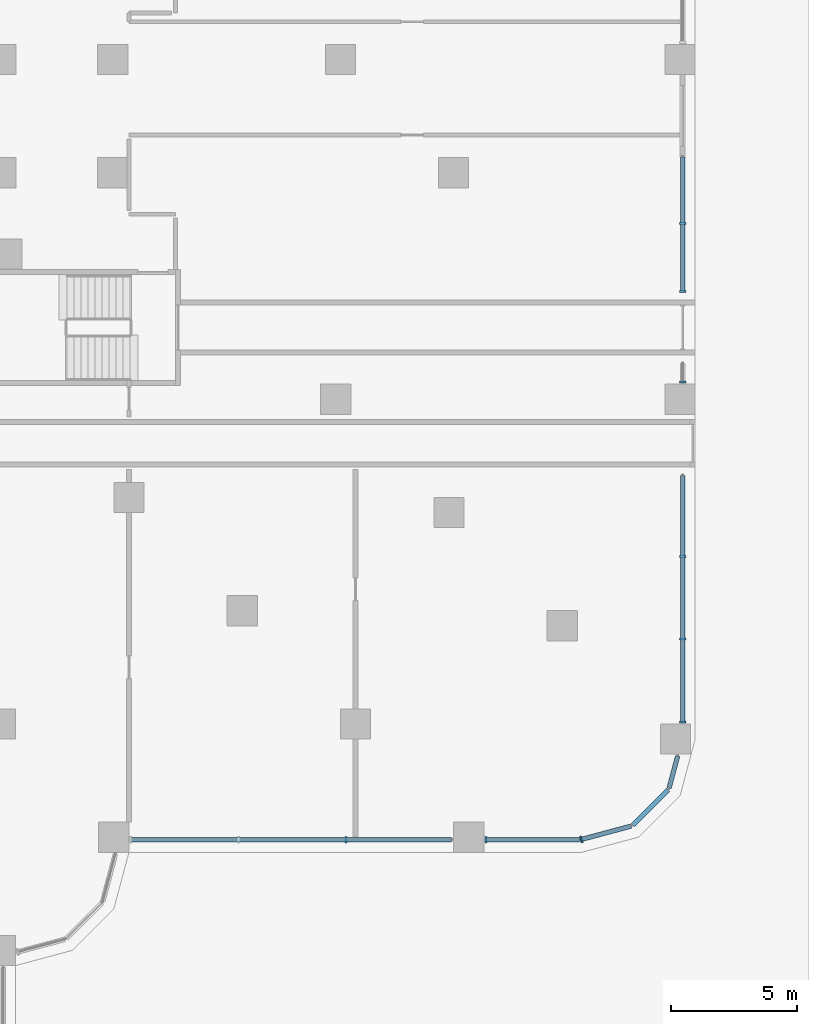
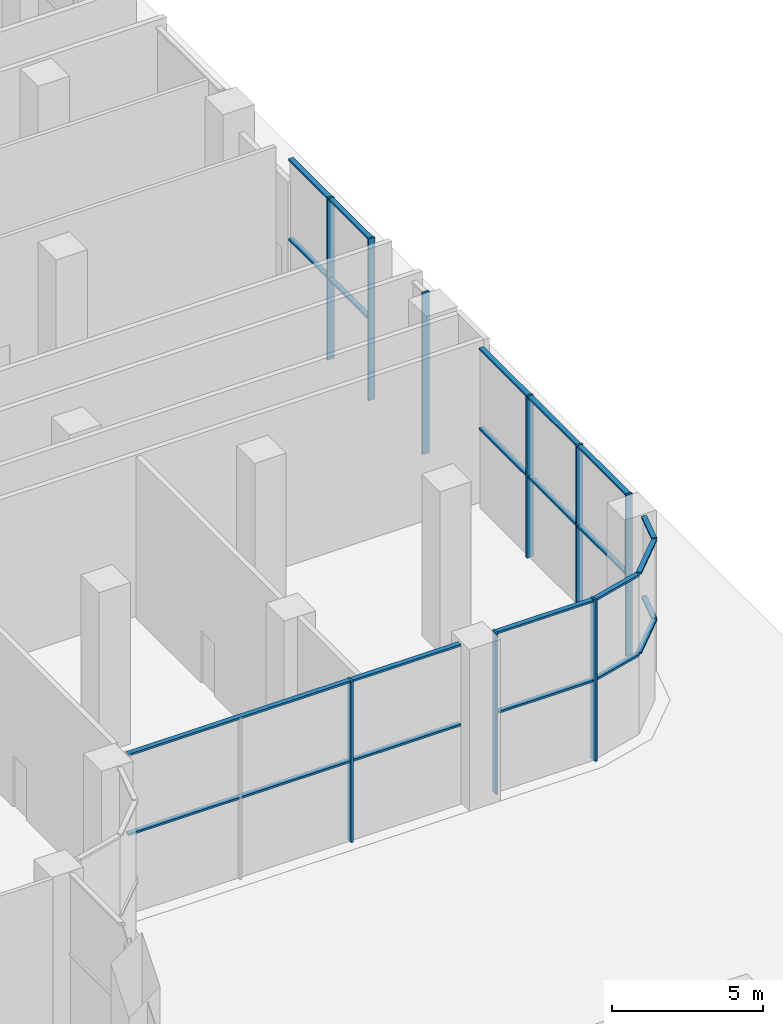
# One storey, part 6 of 34: 23 members, 5 elements without a shape of their own.
"""IFC4 building model written with IfcOpenShell, lengths in metres."""

from ifc_helpers import new_model, si_unit, direction, origin, place, context, subcontext, project, spatial, polyline, outline, extrude, source, transform, mapped, material, type_object, element, aggregate, save


model = new_model("IFC4")

# Units and contexts
model_context = context("Model", 3, precision=1e-05, world=origin(), true_north=direction((0.0, 1.0)))
body_context = subcontext(model_context, "Body", "Model", "MODEL_VIEW")
ifc_project = project(units=[si_unit("LENGTHUNIT", "METRE"), si_unit("AREAUNIT", "SQUARE_METRE"), si_unit("VOLUMEUNIT", "CUBIC_METRE"), si_unit("PLANEANGLEUNIT", "RADIAN"), si_unit("MASSUNIT", "GRAM", prefix="KILO")], contexts=[model_context])

# Site, building, storey
site_placement = place(None, origin())
site = spatial("IfcSite", under=ifc_project, at=site_placement, CompositionType="ELEMENT")
building_placement = place(site_placement, origin())
building = spatial("IfcBuilding", under=site, at=building_placement, Name="Zarbagh Exchange Tower", CompositionType="ELEMENT")
storey_placement = place(building_placement, origin())
storey = spatial("IfcBuildingStorey", under=building, at=storey_placement, Name="L00", CompositionType="ELEMENT", Elevation=0.0)

# Curtain wall, members
ifc_material_1 = material(Name="Anodised aluminium frame and glazing", Category="aluminium")
curtain_wall_type = type_object("IfcCurtainWallType", Name="CWC Podium garden-wall glazing", PredefinedType="NOTDEFINED", material=ifc_material_1)
curtain_wall_1_placement = place(storey_placement, origin())
curtain_wall_1 = element("IfcCurtainWall", 1, at=curtain_wall_1_placement, inside=storey, type_object=curtain_wall_type, Name="CWC09 curtain wall", PredefinedType="NOTDEFINED")
ifc_material_2 = material(Name="Anodised aluminium frame", Category="aluminium")
member_type_1 = type_object("IfcMemberType", Name="MUC Mullion, anodised aluminium frame", PredefinedType="MULLION", material=ifc_material_2)
shared_shape_1 = source(origin(), body_context, "Body", "SweptSolid", [
    extrude(outline(polyline([(0.0, -0.125), (0.080078125, -0.125), (0.080078125, 0.125), (0.0, 0.125), (0.0, -0.125)])), origin(), (0.0, 0.0, 1.0), 6.550048828125),
])
placement = place(storey_placement, origin())
member_1 = element("IfcMember", 2, at=placement, type_object=member_type_1, Name="CWC09 mullion 1.3", PredefinedType="MULLION", context=body_context, shape_type="MappedRepresentation", body=[
    mapped(shared_shape_1, transform((42.336669921875, -28.75, 0.0), x_axis=(1.0, 0.0, 0.0), y_axis=(0.0, 1.0, 0.0), z_axis=(0.0, 0.0, 1.0))),
])
member_2 = element("IfcMember", 3, at=placement, type_object=member_type_1, Name="CWC09 mullion 2.1", PredefinedType="MULLION", context=body_context, shape_type="MappedRepresentation", body=[
    mapped(shared_shape_1, transform((47.89013671875, -28.75, 0.0), x_axis=(1.0, 0.0, 0.0), y_axis=(0.0, 1.0, 0.0), z_axis=(0.0, 0.0, 1.0))),
])

# Curtain wall, member
curtain_wall_2_placement = place(storey_placement, origin())
curtain_wall_2 = element("IfcCurtainWall", 4, at=curtain_wall_2_placement, inside=storey, type_object=curtain_wall_type, Name="CWC10 curtain wall", PredefinedType="NOTDEFINED")
member_3 = element("IfcMember", 5, at=placement, type_object=member_type_1, Name="CWC10 mullion 1.1", PredefinedType="MULLION", context=body_context, shape_type="MappedRepresentation", body=[
    mapped(shared_shape_1, transform((51.68408203125, -28.75, 0.0), x_axis=(0.965924289636, 0.258824779902, 0.0), y_axis=(-0.258824779902, 0.965924289636, 0.0), z_axis=(0.0, 0.0, 1.0))),
])

# Curtain wall, members
curtain_wall_3_placement = place(storey_placement, origin())
curtain_wall_3 = element("IfcCurtainWall", 6, at=curtain_wall_3_placement, inside=storey, type_object=curtain_wall_type, Name="CWC13 curtain wall", PredefinedType="NOTDEFINED")
member_4 = element("IfcMember", 7, at=placement, type_object=member_type_1, Name="CWC13 mullion 1.1", PredefinedType="MULLION", context=body_context, shape_type="MappedRepresentation", body=[
    mapped(shared_shape_1, transform((55.75, -24.10986328125, 0.0), x_axis=(0.0, 1.0, 0.0), y_axis=(-1.0, 0.0, 0.0), z_axis=(0.0, 0.0, 1.0))),
])
member_5 = element("IfcMember", 8, at=placement, type_object=member_type_1, Name="CWC13 mullion 1.2", PredefinedType="MULLION", context=body_context, shape_type="MappedRepresentation", body=[
    mapped(shared_shape_1, transform((55.75, -20.820068359375, 0.0), x_axis=(0.0, 1.0, 0.0), y_axis=(-1.0, 0.0, 0.0), z_axis=(0.0, 0.0, 1.0))),
])
member_6 = element("IfcMember", 9, at=placement, type_object=member_type_1, Name="CWC13 mullion 1.3", PredefinedType="MULLION", context=body_context, shape_type="MappedRepresentation", body=[
    mapped(shared_shape_1, transform((55.75, -17.530029296875, 0.0), x_axis=(0.0, 1.0, 0.0), y_axis=(-1.0, 0.0, 0.0), z_axis=(0.0, 0.0, 1.0))),
])
member_7 = element("IfcMember", 10, at=placement, type_object=member_type_1, Name="CWC13 mullion 2.1", PredefinedType="MULLION", context=body_context, shape_type="MappedRepresentation", body=[
    mapped(shared_shape_1, transform((55.75, -10.60986328125, 0.0), x_axis=(0.0, 1.0, 0.0), y_axis=(-1.0, 0.0, 0.0), z_axis=(0.0, 0.0, 1.0))),
])
member_8 = element("IfcMember", 11, at=placement, type_object=member_type_1, Name="CWC13 mullion 3.1", PredefinedType="MULLION", context=body_context, shape_type="MappedRepresentation", body=[
    mapped(shared_shape_1, transform((55.75, -7.010009765625, 0.0), x_axis=(0.0, 1.0, 0.0), y_axis=(-1.0, 0.0, 0.0), z_axis=(0.0, 0.0, 1.0))),
])
member_9 = element("IfcMember", 12, at=placement, type_object=member_type_1, Name="CWC13 mullion 3.2", PredefinedType="MULLION", context=body_context, shape_type="MappedRepresentation", body=[
    mapped(shared_shape_1, transform((55.75, -4.300048828125, 0.0), x_axis=(0.0, 1.0, 0.0), y_axis=(-1.0, 0.0, 0.0), z_axis=(0.0, 0.0, 1.0))),
])

# Member
member_type_2 = type_object("IfcMemberType", Name="TRC Transom, anodised aluminium frame", PredefinedType="USERDEFINED", material=ifc_material_2)
shared_shape_2 = source(origin(), body_context, "Body", "SweptSolid", [
    extrude(outline(polyline([(-0.080078125, -0.090087890625), (0.0, -0.090087890625), (0.0, 0.090087890625), (-0.080078125, 0.090087890625), (-0.080078125, -0.090087890625)])), origin(), (0.0, 0.0, 1.0), 3.714111328125),
])
member_10 = element("IfcMember", 13, at=placement, type_object=member_type_2, Name="CWC09 transom 2.1", ObjectType="TRANSOM", PredefinedType="USERDEFINED", context=body_context, shape_type="MappedRepresentation", body=[
    mapped(shared_shape_2, transform((47.929931640625, -28.75, 6.550048828125), x_axis=(0.0, 0.0, 1.0), y_axis=(0.0, -1.0, 0.0), z_axis=(1.0, 0.0, 0.0))),
])

shared_shape_3 = source(origin(), body_context, "Body", "SweptSolid", [
    extrude(outline(polyline([(-0.0400390625, -0.090087890625), (0.0400390625, -0.090087890625), (0.0400390625, 0.090087890625), (-0.0400390625, 0.090087890625), (-0.0400390625, -0.090087890625)])), origin(), (0.0, 0.0, 1.0), 3.714111328125),
])
member_11 = element("IfcMember", 14, at=placement, type_object=member_type_2, Name="CWC09 mid transom 2", ObjectType="TRANSOM", PredefinedType="USERDEFINED", context=body_context, shape_type="MappedRepresentation", body=[
    mapped(shared_shape_3, transform((47.929931640625, -28.75, 3.27490234375), x_axis=(0.0, 0.0, 1.0), y_axis=(0.0, -1.0, 0.0), z_axis=(1.0, 0.0, 0.0))),
])

shared_shape_4 = source(origin(), body_context, "Body", "SweptSolid", [
    extrude(outline(polyline([(-0.080078125, -0.090087890625), (0.0, -0.090087890625), (0.0, 0.090087890625), (-0.080078125, 0.090087890625), (-0.080078125, -0.090087890625)])), origin(), (0.0, 0.0, 1.0), 2.049560546875),
])
member_12 = element("IfcMember", 15, at=placement, type_object=member_type_2, Name="CWC10 transom 1.1", ObjectType="TRANSOM", PredefinedType="USERDEFINED", context=body_context, shape_type="MappedRepresentation", body=[
    mapped(shared_shape_4, transform((51.722900390625, -28.73974609375, 6.550048828125), x_axis=(0.0, 0.0, 1.0), y_axis=(0.258824779902, -0.965924289636, 0.0), z_axis=(0.965924289636, 0.258824779902, 0.0))),
])

shared_shape_5 = source(origin(), body_context, "Body", "SweptSolid", [
    extrude(outline(polyline([(-0.0400390625, -0.090087890625), (0.0400390625, -0.090087890625), (0.0400390625, 0.090087890625), (-0.0400390625, 0.090087890625), (-0.0400390625, -0.090087890625)])), origin(), (0.0, 0.0, 1.0), 2.049560546875),
])
member_13 = element("IfcMember", 16, at=placement, type_object=member_type_2, Name="CWC10 mid transom 1", ObjectType="TRANSOM", PredefinedType="USERDEFINED", context=body_context, shape_type="MappedRepresentation", body=[
    mapped(shared_shape_5, transform((51.722900390625, -28.73974609375, 3.27490234375), x_axis=(0.0, 0.0, 1.0), y_axis=(0.258824779902, -0.965924289636, 0.0), z_axis=(0.965924289636, 0.258824779902, 0.0))),
])

aggregate(curtain_wall_2, [member_3, member_12, member_13])

# Curtain wall, members
curtain_wall_4_placement = place(storey_placement, origin())
curtain_wall_4 = element("IfcCurtainWall", 17, at=curtain_wall_4_placement, inside=storey, type_object=curtain_wall_type, Name="CWC11 curtain wall", PredefinedType="NOTDEFINED")
shared_shape_6 = source(origin(), body_context, "Body", "SweptSolid", [
    extrude(outline(polyline([(-0.080078125, -0.090087890625), (0.0, -0.090087890625), (0.0, 0.090087890625), (-0.080078125, 0.090087890625), (-0.080078125, -0.090087890625)])), origin(), (0.0, 0.0, 1.0), 1.9814453125),
])
member_14 = element("IfcMember", 18, at=placement, type_object=member_type_2, Name="CWC11 transom 1.1", ObjectType="TRANSOM", PredefinedType="USERDEFINED", context=body_context, shape_type="MappedRepresentation", body=[
    mapped(shared_shape_6, transform((53.76953125, -28.17041015625, 6.550048828125), x_axis=(0.0, 0.0, 1.0), y_axis=(0.707106781187, -0.707106781187, 0.0), z_axis=(0.707106781187, 0.707106781187, 0.0))),
])
shared_shape_7 = source(origin(), body_context, "Body", "SweptSolid", [
    extrude(outline(polyline([(-0.0400390625, -0.090087890625), (0.0400390625, -0.090087890625), (0.0400390625, 0.090087890625), (-0.0400390625, 0.090087890625), (-0.0400390625, -0.090087890625)])), origin(), (0.0, 0.0, 1.0), 1.9814453125),
])
member_15 = element("IfcMember", 19, at=placement, type_object=member_type_2, Name="CWC11 mid transom 1", ObjectType="TRANSOM", PredefinedType="USERDEFINED", context=body_context, shape_type="MappedRepresentation", body=[
    mapped(shared_shape_7, transform((53.76953125, -28.17041015625, 3.27490234375), x_axis=(0.0, 0.0, 1.0), y_axis=(0.707106781187, -0.707106781187, 0.0), z_axis=(0.707106781187, 0.707106781187, 0.0))),
])
aggregate(curtain_wall_4, [member_14, member_15])

curtain_wall_5_placement = place(storey_placement, origin())
curtain_wall_5 = element("IfcCurtainWall", 20, at=curtain_wall_5_placement, inside=storey, type_object=curtain_wall_type, Name="CWC12 curtain wall", PredefinedType="NOTDEFINED")
shared_shape_8 = source(origin(), body_context, "Body", "SweptSolid", [
    extrude(outline(polyline([(-0.080078125, -0.090087890625), (0.0, -0.090087890625), (0.0, 0.090087890625), (-0.080078125, 0.090087890625), (-0.080078125, -0.090087890625)])), origin(), (0.0, 0.0, 1.0), 1.31884765625),
])
member_16 = element("IfcMember", 21, at=placement, type_object=member_type_2, Name="CWC12 transom 1.1", ObjectType="TRANSOM", PredefinedType="USERDEFINED", context=body_context, shape_type="MappedRepresentation", body=[
    mapped(shared_shape_8, transform((55.209228515625, -26.70263671875, 6.550048828125), x_axis=(0.0, 0.0, 1.0), y_axis=(0.965924289636, -0.258824779902, 0.0), z_axis=(0.258824779902, 0.965924289636, 0.0))),
])
shared_shape_9 = source(origin(), body_context, "Body", "SweptSolid", [
    extrude(outline(polyline([(-0.0400390625, -0.090087890625), (0.0400390625, -0.090087890625), (0.0400390625, 0.090087890625), (-0.0400390625, 0.090087890625), (-0.0400390625, -0.090087890625)])), origin(), (0.0, 0.0, 1.0), 1.31884765625),
])
member_17 = element("IfcMember", 22, at=placement, type_object=member_type_2, Name="CWC12 mid transom 1", ObjectType="TRANSOM", PredefinedType="USERDEFINED", context=body_context, shape_type="MappedRepresentation", body=[
    mapped(shared_shape_9, transform((55.209228515625, -26.70263671875, 3.27490234375), x_axis=(0.0, 0.0, 1.0), y_axis=(0.965924289636, -0.258824779902, 0.0), z_axis=(0.258824779902, 0.965924289636, 0.0))),
])
aggregate(curtain_wall_5, [member_16, member_17])

# Member
shared_shape_10 = source(origin(), body_context, "Body", "SweptSolid", [
    extrude(outline(polyline([(-0.080078125, -0.090087890625), (0.0, -0.090087890625), (0.0, 0.090087890625), (-0.080078125, 0.090087890625), (-0.080078125, -0.090087890625)])), origin(), (0.0, 0.0, 1.0), 12.739990234375),
])
member_18 = element("IfcMember", 23, at=placement, type_object=member_type_2, Name="CWC09 transom 1.1", ObjectType="TRANSOM", PredefinedType="USERDEFINED", context=body_context, shape_type="MappedRepresentation", body=[
    mapped(shared_shape_10, transform((33.830078125, -28.75, 6.550048828125), x_axis=(0.0, 0.0, 1.0), y_axis=(0.0, -1.0, 0.0), z_axis=(1.0, 0.0, 0.0))),
])

shared_shape_11 = source(origin(), body_context, "Body", "SweptSolid", [
    extrude(outline(polyline([(-0.0400390625, -0.090087890625), (0.0400390625, -0.090087890625), (0.0400390625, 0.090087890625), (-0.0400390625, 0.090087890625), (-0.0400390625, -0.090087890625)])), origin(), (0.0, 0.0, 1.0), 12.739990234375),
])
member_19 = element("IfcMember", 24, at=placement, type_object=member_type_2, Name="CWC09 mid transom 1", ObjectType="TRANSOM", PredefinedType="USERDEFINED", context=body_context, shape_type="MappedRepresentation", body=[
    mapped(shared_shape_11, transform((33.830078125, -28.75, 3.27490234375), x_axis=(0.0, 0.0, 1.0), y_axis=(0.0, -1.0, 0.0), z_axis=(1.0, 0.0, 0.0))),
])

aggregate(curtain_wall_1, [member_18, member_19, member_1, member_2, member_10, member_11])

shared_shape_12 = source(origin(), body_context, "Body", "SweptSolid", [
    extrude(outline(polyline([(-0.080078125, -0.090087890625), (0.0, -0.090087890625), (0.0, 0.090087890625), (-0.080078125, 0.090087890625), (-0.080078125, -0.090087890625)])), origin(), (0.0, 0.0, 1.0), 9.7900390625),
])
member_20 = element("IfcMember", 25, at=placement, type_object=member_type_2, Name="CWC13 transom 1.1", ObjectType="TRANSOM", PredefinedType="USERDEFINED", context=body_context, shape_type="MappedRepresentation", body=[
    mapped(shared_shape_12, transform((55.75, -24.070068359375, 6.550048828125), x_axis=(0.0, 0.0, 1.0), y_axis=(1.0, 0.0, 0.0), z_axis=(0.0, 1.0, 0.0))),
])

shared_shape_13 = source(origin(), body_context, "Body", "SweptSolid", [
    extrude(outline(polyline([(-0.0400390625, -0.090087890625), (0.0400390625, -0.090087890625), (0.0400390625, 0.090087890625), (-0.0400390625, 0.090087890625), (-0.0400390625, -0.090087890625)])), origin(), (0.0, 0.0, 1.0), 9.7900390625),
])
member_21 = element("IfcMember", 26, at=placement, type_object=member_type_2, Name="CWC13 mid transom 1", ObjectType="TRANSOM", PredefinedType="USERDEFINED", context=body_context, shape_type="MappedRepresentation", body=[
    mapped(shared_shape_13, transform((55.75, -24.070068359375, 3.27490234375), x_axis=(0.0, 0.0, 1.0), y_axis=(1.0, 0.0, 0.0), z_axis=(0.0, 1.0, 0.0))),
])

shared_shape_14 = source(origin(), body_context, "Body", "SweptSolid", [
    extrude(outline(polyline([(-0.080078125, -0.090087890625), (0.0, -0.090087890625), (0.0, 0.090087890625), (-0.080078125, 0.090087890625), (-0.080078125, -0.090087890625)])), origin(), (0.0, 0.0, 1.0), 5.340087890625),
])
member_22 = element("IfcMember", 27, at=placement, type_object=member_type_2, Name="CWC13 transom 3.1", ObjectType="TRANSOM", PredefinedType="USERDEFINED", context=body_context, shape_type="MappedRepresentation", body=[
    mapped(shared_shape_14, transform((55.75, -6.969970703125, 6.550048828125), x_axis=(0.0, 0.0, 1.0), y_axis=(1.0, 0.0, 0.0), z_axis=(0.0, 1.0, 0.0))),
])

shared_shape_15 = source(origin(), body_context, "Body", "SweptSolid", [
    extrude(outline(polyline([(-0.0400390625, -0.090087890625), (0.0400390625, -0.090087890625), (0.0400390625, 0.090087890625), (-0.0400390625, 0.090087890625), (-0.0400390625, -0.090087890625)])), origin(), (0.0, 0.0, 1.0), 5.340087890625),
])
member_23 = element("IfcMember", 28, at=placement, type_object=member_type_2, Name="CWC13 mid transom 3", ObjectType="TRANSOM", PredefinedType="USERDEFINED", context=body_context, shape_type="MappedRepresentation", body=[
    mapped(shared_shape_15, transform((55.75, -6.969970703125, 3.27490234375), x_axis=(0.0, 0.0, 1.0), y_axis=(1.0, 0.0, 0.0), z_axis=(0.0, 1.0, 0.0))),
])

aggregate(curtain_wall_3, [member_4, member_20, member_21, member_5, member_6, member_7, member_8, member_22, member_23, member_9])

save(model, "model.ifc")
